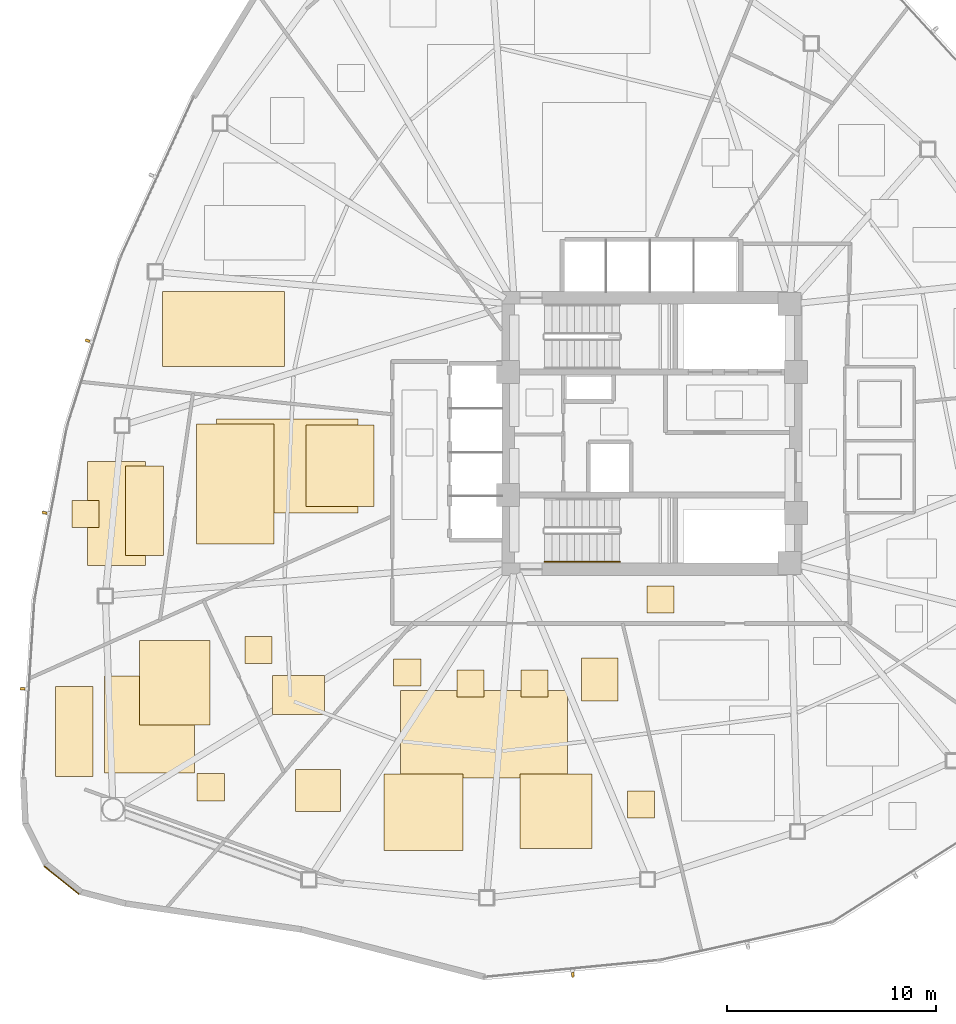
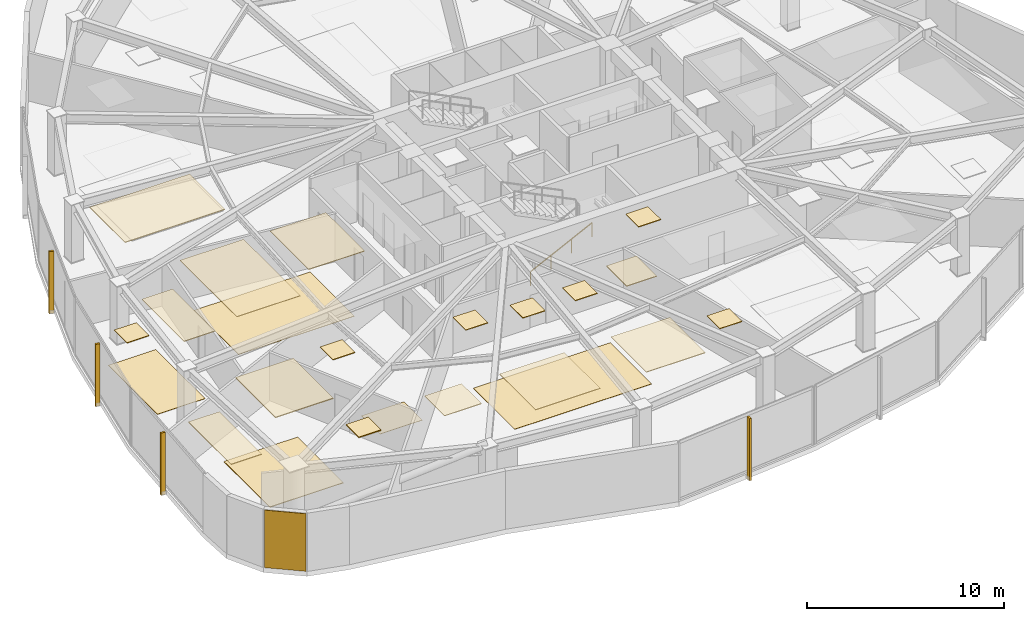
# One storey, part 15 of 18: 24 coverings, 4 shading devices, 1 railing.
"""IFC4 building model written with IfcOpenShell, lengths in metres."""

from ifc_helpers import new_model, si_unit, direction, frame, origin, origin_2d, place, context, subcontext, project, spatial, polyline, rectangle, outline, extrude, source, transform, mapped, material, layer, layer_set, type_object, type_shapes, element, save


model = new_model("IFC4")

# Units and contexts
model_context = context("Model", 3, precision=1e-05, world=origin(), true_north=direction((0.0, 1.0)))
body_context = subcontext(model_context, "Body", "Model", "MODEL_VIEW")
ifc_project = project(units=[si_unit("LENGTHUNIT", "METRE"), si_unit("AREAUNIT", "SQUARE_METRE"), si_unit("VOLUMEUNIT", "CUBIC_METRE"), si_unit("PLANEANGLEUNIT", "RADIAN"), si_unit("MASSUNIT", "GRAM", prefix="KILO")], contexts=[model_context])

# Site, building, storey
site_placement = place(None, origin())
site = spatial("IfcSite", under=ifc_project, at=site_placement, CompositionType="ELEMENT")
building_placement = place(site_placement, origin())
building = spatial("IfcBuilding", under=site, at=building_placement, Name="Tavelor Broadcast Tower", CompositionType="ELEMENT")
storey_placement = place(building_placement, frame((0.0, 0.0, 62.699951171875)))
storey = spatial("IfcBuildingStorey", under=building, at=storey_placement, Name="L14", CompositionType="ELEMENT", Elevation=62.699951171875)

# Covering
ifc_material_1 = material(Name="Copper-Bronze Anodized Aluminium", Category="aluminium")
ifc_layer_1 = layer(ifc_material_1, 0.050048828125)
ifc_layer_set_1 = layer_set([ifc_layer_1], Name="Copper-Bronze Anodized Aluminium")
covering_type_1 = type_object("IfcCoveringType", Name="Champagne-Bronze Corner Pier Metal Cladding 50 mm", PredefinedType="CLADDING", material=ifc_layer_set_1)
covering_1_placement = place(storey_placement, frame((21.694091796875, 23.589111328125, 0.02001953125), z_axis=(0.0, 0.0, 1.0), x_axis=(0.77879085327, -0.627283673359, 0.0)))
element("IfcCovering", 1, at=covering_1_placement, inside=storey, type_object=covering_type_1, Name="L14 Champagne-Bronze Corner Cladding 13", PredefinedType="CLADDING", context=body_context, shape_type="SweptSolid", body=[
    extrude(rectangle(XDim=2.133056640625, YDim=0.050048828125, at=origin_2d()), origin(), (0.0, 0.0, 1.0), 3.56005859375),
])

# Railing
ifc_material_2 = material(Name="Steel S355", Category="steel")
railing_type = type_object("IfcRailingType", Name="Continuous Brushed Stainless Handrail 900 mm", PredefinedType="HANDRAIL", material=ifc_material_2)
railing_placement = place(storey_placement, frame((44.85009765625, 38.85009765625, 0.17724609375)))
element("IfcRailing", 2, at=railing_placement, inside=storey, type_object=railing_type, Name="L14 ST2 stair handrail 1", PredefinedType="HANDRAIL", context=body_context, shape_type="SweptSolid", body=[
    extrude(rectangle(XDim=0.048095703125, YDim=0.048095703125, at=origin_2d()), frame((0.0, 0.0, 0.8759765625), z_axis=(0.897124305991, 0.0, 0.441778201817), x_axis=(0.0, 1.0, 0.0)), (0.0, 0.0, 1.0), 4.0126953125),
    extrude(rectangle(XDim=0.0419921875, YDim=0.0419921875, at=origin_2d()), origin(), (0.0, 0.0, 1.0), 0.851806640625),
    extrude(rectangle(XDim=0.0419921875, YDim=0.0419921875, at=origin_2d()), frame((1.199951171875, 0.0, 0.5908203125)), (0.0, 0.0, 1.0), 0.851806640625),
    extrude(rectangle(XDim=0.0419921875, YDim=0.0419921875, at=origin_2d()), frame((2.39990234375, 0.0, 1.181884765625)), (0.0, 0.0, 1.0), 0.851806640625),
    extrude(rectangle(XDim=0.0419921875, YDim=0.0419921875, at=origin_2d()), frame((3.599853515625, 0.0, 1.772705078125)), (0.0, 0.0, 1.0), 0.851806640625),
])

# Coverings
ifc_material_3 = material(Name="Architectural Anodized Aluminium", Category="aluminium")
ifc_layer_2 = layer(ifc_material_3, 0.034912109375)
ifc_layer_set_2 = layer_set([ifc_layer_2], Name="Architectural Anodized Aluminium")
covering_type_2 = type_object("IfcCoveringType", Name="Demountable Metal Tile Corridor Ceiling 35 mm", PredefinedType="CEILING", material=ifc_layer_set_2)
covering_2_placement = place(storey_placement, frame((0.0, 0.0, 3.56494140625)))
element("IfcCovering", 3, at=covering_2_placement, inside=storey, type_object=covering_type_2, Name="L14 Suspended Acoustic Ceiling 0544", PredefinedType="CEILING", context=body_context, shape_type="SweptSolid", body=[
    extrude(outline(polyline([(49.75244140625, 36.39990234375), (51.052490234375, 36.39990234375), (51.052490234375, 37.699951171875), (49.75244140625, 37.699951171875), (49.75244140625, 36.39990234375)])), origin(), (0.0, 0.0, 1.0), 0.03515625),
])
ifc_material_4 = material(Name="Acoustic Nylon Carpet Tile")
ifc_layer_3 = layer(ifc_material_4, 0.02001953125)
ifc_layer_set_3 = layer_set([ifc_layer_3], Name="Acoustic Nylon Carpet Tile")
covering_type_3 = type_object("IfcCoveringType", Name="Heavy-Duty Acoustic Broadcast Carpet Tile 20 mm", PredefinedType="FLOORING", material=ifc_layer_set_3)
covering_3_placement = place(storey_placement, origin())
element("IfcCovering", 4, at=covering_3_placement, inside=storey, type_object=covering_type_3, Name="L14 Broadcast Floor Finish 0194", PredefinedType="FLOORING", context=body_context, shape_type="SweptSolid", body=[
    extrude(outline(polyline([(37.936279296875, 28.48291015625), (45.946533203125, 28.48291015625), (45.946533203125, 32.677001953125), (37.936279296875, 32.677001953125), (37.936279296875, 28.48291015625)])), origin(), (0.0, 0.0, 1.0), 0.02001953125),
])
covering_4_placement = place(storey_placement, origin())
element("IfcCovering", 5, at=covering_4_placement, inside=storey, type_object=covering_type_3, Name="L14 Broadcast Floor Finish 0196", PredefinedType="FLOORING", context=body_context, shape_type="SweptSolid", body=[
    extrude(outline(polyline([(22.935302734375, 38.671875), (25.71533203125, 38.671875), (25.71533203125, 43.66650390625), (22.935302734375, 43.66650390625), (22.935302734375, 38.671875)])), origin(), (0.0, 0.0, 1.0), 0.02001953125),
])
covering_5_placement = place(storey_placement, origin())
element("IfcCovering", 6, at=covering_5_placement, inside=storey, type_object=covering_type_3, Name="L14 Broadcast Floor Finish 0203", PredefinedType="FLOORING", context=body_context, shape_type="SweptSolid", body=[
    extrude(outline(polyline([(31.812744140625, 31.521728515625), (34.288330078125, 31.521728515625), (34.288330078125, 33.3916015625), (31.812744140625, 33.3916015625), (31.812744140625, 31.521728515625)])), origin(), (0.0, 0.0, 1.0), 0.02001953125),
])
covering_6_placement = place(storey_placement, origin())
element("IfcCovering", 7, at=covering_6_placement, inside=storey, type_object=covering_type_3, Name="L14 Broadcast Floor Finish 0204", PredefinedType="FLOORING", context=body_context, shape_type="SweptSolid", body=[
    extrude(outline(polyline([(29.127197265625, 41.185546875), (35.905029296875, 41.185546875), (35.905029296875, 45.69580078125), (29.127197265625, 45.69580078125), (29.127197265625, 41.185546875)])), origin(), (0.0, 0.0, 1.0), 0.02001953125),
])
ifc_material_5 = material(Name="Acoustic Hardwood Studio Flooring", Category="wood")
ifc_layer_4 = layer(ifc_material_5, 0.034912109375)
ifc_layer_set_4 = layer_set([ifc_layer_4], Name="Acoustic Hardwood Studio Flooring")
covering_type_4 = type_object("IfcCoveringType", Name="Isolated Studio Acoustic Elastomeric Floor Finish 35 mm", PredefinedType="FLOORING", material=ifc_layer_set_4)
covering_7_placement = place(storey_placement, origin())
element("IfcCovering", 8, at=covering_7_placement, inside=storey, type_object=covering_type_4, Name="L14 Broadcast Floor Finish 0195", PredefinedType="FLOORING", context=body_context, shape_type="SweptSolid", body=[
    extrude(outline(polyline([(23.75146484375, 28.718017578125), (28.0625, 28.718017578125), (28.0625, 33.36767578125), (23.75146484375, 33.36767578125), (23.75146484375, 28.718017578125)])), origin(), (0.0, 0.0, 1.0), 0.03515625),
])
ifc_material_6 = material(Name="Acoustic Perforated Timber Baffle", Category="wood")
ifc_layer_5 = layer(ifc_material_6, 0.054931640625)
ifc_layer_set_5 = layer_set([ifc_layer_5], Name="Acoustic Perforated Timber Baffle")
covering_type_5 = type_object("IfcCoveringType", Name="Micro-Perforated Acoustic Baffle Studio Ceiling 55 mm", PredefinedType="CEILING", material=ifc_layer_set_5)
covering_8_placement = place(storey_placement, frame((0.0, 0.0, 3.545166015625)))
element("IfcCovering", 9, at=covering_8_placement, inside=storey, type_object=covering_type_5, Name="L14 Suspended Acoustic Ceiling 0556", PredefinedType="CEILING", context=body_context, shape_type="SweptSolid", body=[
    extrude(outline(polyline([(21.402099609375, 28.566650390625), (23.202880859375, 28.566650390625), (23.202880859375, 32.8828125), (21.402099609375, 32.8828125), (21.402099609375, 28.566650390625)])), origin(), (0.0, 0.0, 1.0), 0.054931640625),
])
covering_9_placement = place(storey_placement, frame((0.0, 0.0, 3.545166015625)))
element("IfcCovering", 10, at=covering_9_placement, inside=storey, type_object=covering_type_5, Name="L14 Suspended Acoustic Ceiling 0557", PredefinedType="CEILING", context=body_context, shape_type="SweptSolid", body=[
    extrude(outline(polyline([(25.422607421875, 31.03271484375), (28.809326171875, 31.03271484375), (28.809326171875, 35.089599609375), (25.422607421875, 35.089599609375), (25.422607421875, 31.03271484375)])), origin(), (0.0, 0.0, 1.0), 0.054931640625),
])
covering_10_placement = place(storey_placement, frame((0.0, 0.0, 3.545166015625)))
element("IfcCovering", 11, at=covering_10_placement, inside=storey, type_object=covering_type_5, Name="L14 Suspended Acoustic Ceiling 0558", PredefinedType="CEILING", context=body_context, shape_type="SweptSolid", body=[
    extrude(outline(polyline([(28.198486328125, 27.3955078125), (29.49853515625, 27.3955078125), (29.49853515625, 28.695556640625), (28.198486328125, 28.695556640625), (28.198486328125, 27.3955078125)])), origin(), (0.0, 0.0, 1.0), 0.054931640625),
])
ifc_material_7 = material(Name="Acoustic Mineral Fibre Tile")
ifc_layer_6 = layer(ifc_material_7, 0.0400390625)
ifc_layer_set_6 = layer_set([ifc_layer_6], Name="Acoustic Mineral Fibre Tile")
covering_type_6 = type_object("IfcCoveringType", Name="Suspended Acoustic Mineral-Fibre Office Ceiling 40 mm", PredefinedType="CEILING", material=ifc_layer_set_6)
covering_11_placement = place(storey_placement, frame((0.0, 0.0, 3.56005859375)))
element("IfcCovering", 12, at=covering_11_placement, inside=storey, type_object=covering_type_6, Name="L14 Suspended Acoustic Ceiling 0548", PredefinedType="CEILING", context=body_context, shape_type="SweptSolid", body=[
    extrude(outline(polyline([(32.90576171875, 26.869873046875), (35.0625, 26.869873046875), (35.0625, 28.89208984375), (32.90576171875, 28.89208984375), (32.90576171875, 26.869873046875)])), origin(), (0.0, 0.0, 1.0), 0.0400390625),
])
covering_12_placement = place(storey_placement, frame((0.0, 0.0, 3.56005859375)))
element("IfcCovering", 13, at=covering_12_placement, inside=storey, type_object=covering_type_6, Name="L14 Suspended Acoustic Ceiling 0549", PredefinedType="CEILING", context=body_context, shape_type="SweptSolid", body=[
    extrude(outline(polyline([(37.61572265625, 32.88720703125), (38.915771484375, 32.88720703125), (38.915771484375, 34.187255859375), (37.61572265625, 34.187255859375), (37.61572265625, 32.88720703125)])), origin(), (0.0, 0.0, 1.0), 0.0400390625),
])
covering_13_placement = place(storey_placement, frame((0.0, 0.0, 3.56005859375)))
element("IfcCovering", 14, at=covering_13_placement, inside=storey, type_object=covering_type_6, Name="L14 Suspended Acoustic Ceiling 0550", PredefinedType="CEILING", context=body_context, shape_type="SweptSolid", body=[
    extrude(outline(polyline([(40.65380859375, 32.362548828125), (41.95361328125, 32.362548828125), (41.95361328125, 33.66259765625), (40.65380859375, 33.66259765625), (40.65380859375, 32.362548828125)])), origin(), (0.0, 0.0, 1.0), 0.0400390625),
])
covering_14_placement = place(storey_placement, frame((0.0, 0.0, 3.56005859375)))
element("IfcCovering", 15, at=covering_14_placement, inside=storey, type_object=covering_type_6, Name="L14 Suspended Acoustic Ceiling 0551", PredefinedType="CEILING", context=body_context, shape_type="SweptSolid", body=[
    extrude(outline(polyline([(43.7197265625, 32.3623046875), (45.019775390625, 32.3623046875), (45.019775390625, 33.662353515625), (43.7197265625, 33.662353515625), (43.7197265625, 32.3623046875)])), origin(), (0.0, 0.0, 1.0), 0.0400390625),
])
covering_15_placement = place(storey_placement, frame((0.0, 0.0, 3.56005859375)))
element("IfcCovering", 16, at=covering_15_placement, inside=storey, type_object=covering_type_6, Name="L14 Suspended Acoustic Ceiling 0552", PredefinedType="CEILING", context=body_context, shape_type="SweptSolid", body=[
    extrude(outline(polyline([(46.609130859375, 32.1669921875), (48.36865234375, 32.1669921875), (48.36865234375, 34.22900390625), (46.609130859375, 34.22900390625), (46.609130859375, 32.1669921875)])), origin(), (0.0, 0.0, 1.0), 0.0400390625),
])
covering_16_placement = place(storey_placement, frame((0.0, 0.0, 3.56005859375)))
element("IfcCovering", 17, at=covering_16_placement, inside=storey, type_object=covering_type_6, Name="L14 Suspended Acoustic Ceiling 0553", PredefinedType="CEILING", context=body_context, shape_type="SweptSolid", body=[
    extrude(outline(polyline([(48.818359375, 26.5595703125), (50.118408203125, 26.5595703125), (50.118408203125, 27.859619140625), (48.818359375, 27.859619140625), (48.818359375, 26.5595703125)])), origin(), (0.0, 0.0, 1.0), 0.0400390625),
])
covering_17_placement = place(storey_placement, frame((0.0, 0.0, 3.56005859375)))
element("IfcCovering", 18, at=covering_17_placement, inside=storey, type_object=covering_type_6, Name="L14 Suspended Acoustic Ceiling 0554", PredefinedType="CEILING", context=body_context, shape_type="SweptSolid", body=[
    extrude(outline(polyline([(37.154052734375, 25.02197265625), (40.943603515625, 25.02197265625), (40.943603515625, 28.668701171875), (37.154052734375, 28.668701171875), (37.154052734375, 25.02197265625)])), origin(), (0.0, 0.0, 1.0), 0.0400390625),
])
covering_18_placement = place(storey_placement, frame((0.0, 0.0, 3.56005859375)))
element("IfcCovering", 19, at=covering_18_placement, inside=storey, type_object=covering_type_6, Name="L14 Suspended Acoustic Ceiling 0555", PredefinedType="CEILING", context=body_context, shape_type="SweptSolid", body=[
    extrude(outline(polyline([(43.6826171875, 25.096435546875), (47.12646484375, 25.096435546875), (47.12646484375, 28.68408203125), (43.6826171875, 28.68408203125), (43.6826171875, 25.096435546875)])), origin(), (0.0, 0.0, 1.0), 0.0400390625),
])
covering_19_placement = place(storey_placement, frame((0.0, 0.0, 3.56005859375)))
element("IfcCovering", 20, at=covering_19_placement, inside=storey, type_object=covering_type_6, Name="L14 Suspended Acoustic Ceiling 0559", PredefinedType="CEILING", context=body_context, shape_type="SweptSolid", body=[
    extrude(outline(polyline([(22.196533203125, 40.487548828125), (23.49658203125, 40.487548828125), (23.49658203125, 41.78759765625), (22.196533203125, 41.78759765625), (22.196533203125, 40.487548828125)])), origin(), (0.0, 0.0, 1.0), 0.0400390625),
])
covering_20_placement = place(storey_placement, frame((0.0, 0.0, 3.56005859375)))
element("IfcCovering", 21, at=covering_20_placement, inside=storey, type_object=covering_type_6, Name="L14 Suspended Acoustic Ceiling 0560", PredefinedType="CEILING", context=body_context, shape_type="SweptSolid", body=[
    extrude(outline(polyline([(24.76806640625, 39.155517578125), (26.572021484375, 39.155517578125), (26.572021484375, 43.441650390625), (24.76806640625, 43.441650390625), (24.76806640625, 39.155517578125)])), origin(), (0.0, 0.0, 1.0), 0.0400390625),
])
covering_21_placement = place(storey_placement, frame((0.0, 0.0, 3.56005859375)))
element("IfcCovering", 22, at=covering_21_placement, inside=storey, type_object=covering_type_6, Name="L14 Suspended Acoustic Ceiling 0562", PredefinedType="CEILING", context=body_context, shape_type="SweptSolid", body=[
    extrude(outline(polyline([(26.541748046875, 48.2177734375), (32.390625, 48.2177734375), (32.390625, 51.80078125), (26.541748046875, 51.80078125), (26.541748046875, 48.2177734375)])), origin(), (0.0, 0.0, 1.0), 0.0400390625),
])
covering_22_placement = place(storey_placement, frame((0.0, 0.0, 3.56005859375)))
element("IfcCovering", 23, at=covering_22_placement, inside=storey, type_object=covering_type_6, Name="L14 Suspended Acoustic Ceiling 0585", PredefinedType="CEILING", context=body_context, shape_type="SweptSolid", body=[
    extrude(outline(polyline([(30.484375, 33.982421875), (31.7841796875, 33.982421875), (31.7841796875, 35.282470703125), (30.484375, 35.282470703125), (30.484375, 33.982421875)])), origin(), (0.0, 0.0, 1.0), 0.0400390625),
])
covering_23_placement = place(storey_placement, frame((0.0, 0.0, 3.56005859375)))
element("IfcCovering", 24, at=covering_23_placement, inside=storey, type_object=covering_type_6, Name="L14 Suspended Acoustic Ceiling 0586", PredefinedType="CEILING", context=body_context, shape_type="SweptSolid", body=[
    extrude(outline(polyline([(28.16259765625, 39.698486328125), (31.879150390625, 39.698486328125), (31.879150390625, 45.446044921875), (28.16259765625, 45.446044921875), (28.16259765625, 39.698486328125)])), origin(), (0.0, 0.0, 1.0), 0.0400390625),
])
covering_24_placement = place(storey_placement, frame((0.0, 0.0, 3.56005859375)))
element("IfcCovering", 25, at=covering_24_placement, inside=storey, type_object=covering_type_6, Name="L14 Suspended Acoustic Ceiling 0587", PredefinedType="CEILING", context=body_context, shape_type="SweptSolid", body=[
    extrude(outline(polyline([(33.404296875, 41.492431640625), (36.668212890625, 41.492431640625), (36.668212890625, 45.4091796875), (33.404296875, 45.4091796875), (33.404296875, 41.492431640625)])), origin(), (0.0, 0.0, 1.0), 0.0400390625),
])

# Shading devices
ifc_material_8 = material(Name="Kiln-Fired Glazed Terracotta", Category="masonry")
shading_device_type = type_object("IfcShadingDeviceType", Name="Extruded Terracotta Baguette Sun-Screen 110x240", PredefinedType="JALOUSIE", material=ifc_material_8)
shared_shape = source(origin(), body_context, "Body", "SweptSolid", [
    extrude(rectangle(XDim=0.110107421875, YDim=0.239990234375, at=origin_2d()), origin(), (0.0, 0.0, 1.0), 3.840087890625),
])
type_shapes(shading_device_type, [shared_shape])
for number, where, z_axis, x_axis, name in (
    (26, (22.940673828125, 49.450927734375, -0.259765625), (0.0, 0.0, 1.0), (-0.301038691196, -0.953611926521, 0.0), "L14 Terracotta Baguette Fin 122"),
    (27, (20.87646484375, 41.2021484375, -0.259765625), (0.0, 0.0, 1.0), (-0.183436661675, -0.983031531108, 0.0), "L14 Terracotta Baguette Fin 123"),
    (28, (19.82568359375, 32.763916015625, -0.259765625), (0.0, 0.0, 1.0), (-0.063138892746, -0.998004749599, 0.0), "L14 Terracotta Baguette Fin 124"),
    (29, (46.204833984375, 19.0537109375, -0.259765625), (0.0, 0.0, 1.0), (0.995362681246, 0.096193205494, 0.0), "L14 Terracotta Baguette Fin 125"),
):
    element("IfcShadingDevice", number, at=place(storey_placement, frame(where, z_axis=z_axis, x_axis=x_axis)), inside=storey, type_object=shading_device_type, Name=name, PredefinedType="JALOUSIE", context=body_context, shape_type="MappedRepresentation", body=[
        mapped(shared_shape, transform((0.0, 0.0, 0.0), scale=1.0)),
    ])

save(model, "model.ifc")
